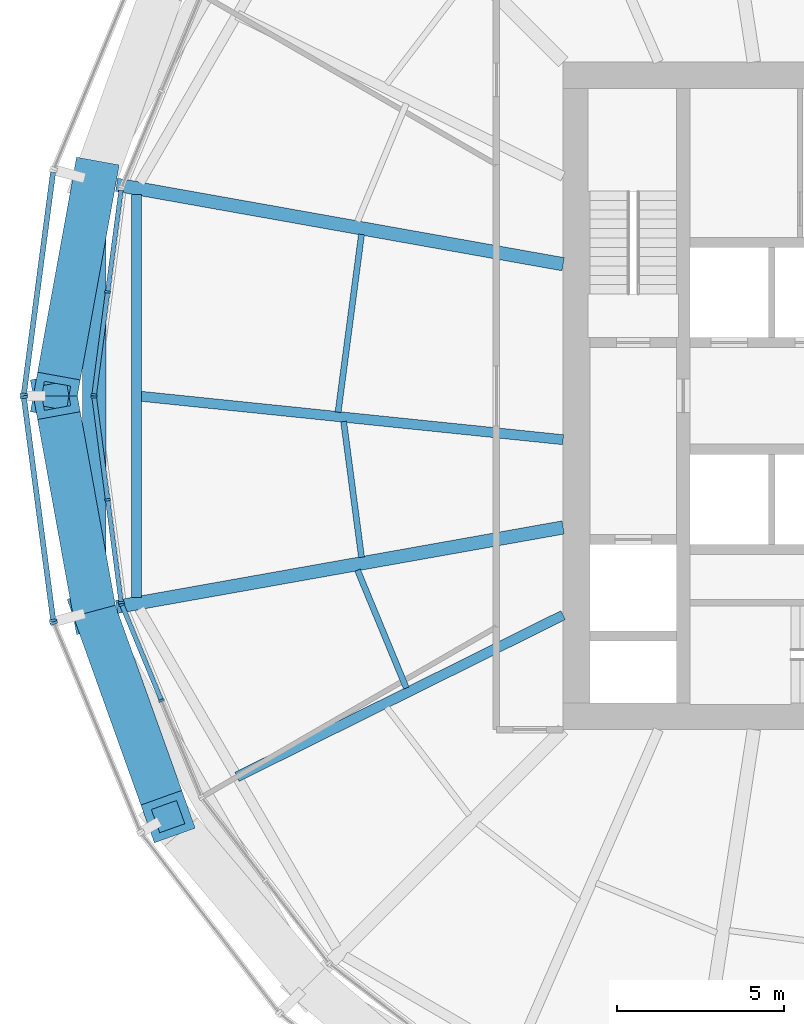
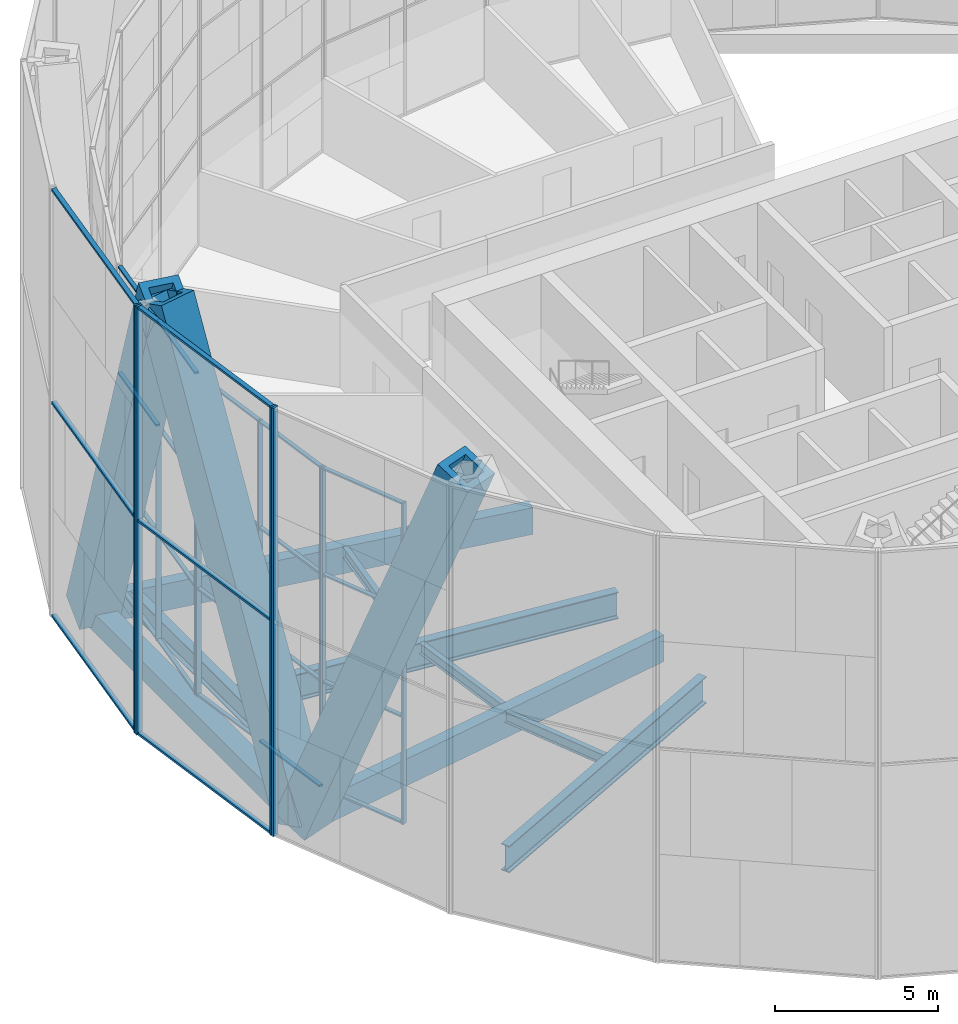
# One storey, part 3 of 26: 40 members, 9 beams, 6 elements without a shape of their own.
"""IFC4 building model written with IfcOpenShell, lengths in metres."""

from ifc_helpers import new_model, si_unit, direction, frame, origin, origin_2d, place, context, subcontext, project, spatial, rectangle, hollow_rectangle, i_section, extrude, material, material_profile, profile_set, type_object, element, aggregate, save


model = new_model("IFC4")

# Units and contexts
model_context = context("Model", 3, precision=1e-05, world=origin(), true_north=direction((0.0, 1.0)))
body_context = subcontext(model_context, "Body", "Model", "MODEL_VIEW")
ifc_project = project(units=[si_unit("LENGTHUNIT", "METRE"), si_unit("AREAUNIT", "SQUARE_METRE"), si_unit("VOLUMEUNIT", "CUBIC_METRE"), si_unit("PLANEANGLEUNIT", "RADIAN"), si_unit("MASSUNIT", "GRAM", prefix="KILO")], contexts=[model_context])

# Site, building, storey
site_placement = place(None, origin())
site = spatial("IfcSite", under=ifc_project, at=site_placement, CompositionType="ELEMENT")
building_placement = place(site_placement, origin())
building = spatial("IfcBuilding", under=site, at=building_placement, Name="Golbaran Civic Tower", CompositionType="ELEMENT")
storey_placement = place(building_placement, frame((0.0, 0.0, 69.0)))
storey = spatial("IfcBuildingStorey", under=building, at=storey_placement, Name="L16", CompositionType="ELEMENT", Elevation=69.0)

# Members
ifc_material_1 = material(Name="Steel S355", Category="steel")
ifc_material_profile_1 = material_profile(ifc_material_1, hollow_rectangle(XDim=1.300048828125, YDim=1.300048828125, WallThickness=0.25, at=origin_2d()), Name="BOX 1300x1300x250")
ifc_profile_set_1 = profile_set([ifc_material_profile_1], Name="Steel S355")
member_type_1 = type_object("IfcMemberType", Name="DIAGRID DIAGONAL BOX 1300x1300x250", PredefinedType="BRACE", material=ifc_profile_set_1)
for number, where, z_axis, x_axis, name in (
    (1, (-24.04296875, 6.4423828125, -0.7099609375), (-0.067560240882, -0.372654606272, 0.925507513895), (0.983960468528, -0.178386648531, 0.0), "Diagonal D03-05R L16-L20"),
    (2, (-24.04296875, -6.4423828125, -0.7099609375), (0.127819765109, -0.356500071861, 0.925510565262), (0.941324428799, 0.337503066276, 0.0), "Diagonal D03-06R L16-L20"),
    (3, (-24.04296875, -6.4423828125, -0.7099609375), (-0.067560240882, 0.372654606272, 0.925507513895), (-0.983960468528, -0.178386648531, 0.0), "Diagonal D03-06L L16-L20"),
):
    element("IfcMember", number, at=place(storey_placement, frame(where, z_axis=z_axis, x_axis=x_axis)), inside=storey, type_object=member_type_1, Name=name, PredefinedType="BRACE", context=body_context, shape_type="SweptSolid", body=[
        extrude(hollow_rectangle(XDim=1.300048828125, YDim=1.300048828125, WallThickness=0.25, at=origin_2d()), origin(), (0.0, 0.0, 1.0), 17.287841796875),
    ])

# Beams
ifc_material_profile_2 = material_profile(ifc_material_1, hollow_rectangle(XDim=0.699951171875, YDim=0.699951171875, WallThickness=0.080078125, at=origin_2d()), Name="BOX 700x700x80")
ifc_profile_set_2 = profile_set([ifc_material_profile_2], Name="Steel S355")
beam_type_1 = type_object("IfcBeamType", Name="DIAGRID RING TIE BOX 700x700x80", PredefinedType="BEAM", material=ifc_profile_set_2)
beam_1_placement = place(storey_placement, frame((-24.04296875, 6.4423828125, -0.7099609375), z_axis=(0.0, -1.0, 0.0), x_axis=(1.0, 0.0, 0.0)))
element("IfcBeam", 4, at=beam_1_placement, inside=storey, type_object=beam_type_1, Name="Ring tie 165.00 L16", PredefinedType="BEAM", context=body_context, shape_type="SweptSolid", body=[
    extrude(hollow_rectangle(XDim=0.699951171875, YDim=0.699951171875, WallThickness=0.080078125, at=origin_2d()), origin(), (0.0, 0.0, 1.0), 12.884765625),
])
ifc_material_profile_3 = material_profile(ifc_material_1, i_section(OverallWidth=0.300048828125, OverallDepth=0.800048828125, WebThickness=0.017578125, FlangeThickness=0.032958984375, FilletRadius=0.030029296875, at=origin_2d()), Name="HEB 800")
ifc_profile_set_3 = profile_set([ifc_material_profile_3], Name="Steel S355")
beam_type_2 = type_object("IfcBeamType", Name="EDGE BEAM HEB 800", PredefinedType="BEAM", material=ifc_profile_set_3)
beam_2_placement = place(storey_placement, frame((-22.783935546875, 6.035400390625, -0.60009765625), z_axis=(0.0, -1.0, 0.0), x_axis=(1.0, 0.0, 0.0)))
element("IfcBeam", 5, at=beam_2_placement, inside=storey, type_object=beam_type_2, Name="Edge beam 165.00 L16", PredefinedType="BEAM", context=body_context, shape_type="SweptSolid", body=[
    extrude(i_section(OverallWidth=0.300048828125, OverallDepth=0.800048828125, WebThickness=0.017578125, FlangeThickness=0.032958984375, FilletRadius=0.030029296875, at=origin_2d()), origin(), (0.0, 0.0, 1.0), 12.07080078125),
])
ifc_material_profile_4 = material_profile(ifc_material_1, i_section(OverallWidth=0.179931640625, OverallDepth=0.39990234375, WebThickness=0.008544921875, FlangeThickness=0.013427734375, FilletRadius=0.02099609375, at=origin_2d()), Name="IPE 400")
ifc_profile_set_4 = profile_set([ifc_material_profile_4], Name="Steel S355")
beam_type_3 = type_object("IfcBeamType", Name="FLOOR INFILL BEAM IPE 400", PredefinedType="BEAM", material=ifc_profile_set_4)
beam_3_placement = place(storey_placement, frame((-16.03955078125, 4.8349609375, -0.39990234375), z_axis=(-0.13053210805, -0.991444082522, 0.0), x_axis=(0.991444082522, -0.13053210805, 0.0)))
element("IfcBeam", 6, at=beam_3_placement, inside=storey, type_object=beam_type_3, Name="Infill beam 172.50 L16", PredefinedType="BEAM", context=body_context, shape_type="SweptSolid", body=[
    extrude(i_section(OverallWidth=0.179931640625, OverallDepth=0.39990234375, WebThickness=0.008544921875, FlangeThickness=0.013427734375, FilletRadius=0.02099609375, at=origin_2d()), origin(), (0.0, 0.0, 1.0), 5.37158203125),
])
beam_4_placement = place(storey_placement, frame((-16.574951171875, -0.76904296875, -0.39990234375), z_axis=(0.130553069552, -0.991441322535, 0.0), x_axis=(0.991441322535, 0.130553069552, 0.0)))
element("IfcBeam", 7, at=beam_4_placement, inside=storey, type_object=beam_type_3, Name="Infill beam 187.50 L16", PredefinedType="BEAM", context=body_context, shape_type="SweptSolid", body=[
    extrude(i_section(OverallWidth=0.179931640625, OverallDepth=0.39990234375, WebThickness=0.008544921875, FlangeThickness=0.013427734375, FilletRadius=0.02099609375, at=origin_2d()), origin(), (0.0, 0.0, 1.0), 4.10107421875),
])
beam_5_placement = place(storey_placement, frame((-16.158935546875, -5.221923828125, -0.39990234375), z_axis=(0.382660123613, -0.923889186968, 0.0), x_axis=(0.923889186968, 0.382660123613, 0.0)))
element("IfcBeam", 8, at=beam_5_placement, inside=storey, type_object=beam_type_3, Name="Infill beam 202.50 L16", PredefinedType="BEAM", context=body_context, shape_type="SweptSolid", body=[
    extrude(i_section(OverallWidth=0.179931640625, OverallDepth=0.39990234375, WebThickness=0.008544921875, FlangeThickness=0.013427734375, FilletRadius=0.02099609375, at=origin_2d()), origin(), (0.0, 0.0, 1.0), 3.822998046875),
])

# Curtain wall, members
ifc_material_2 = material(Name="Aluminium and glass", Category="aluminium")
curtain_wall_type_1 = type_object("IfcCurtainWallType", Name="INNER SKIN CURTAIN WALL", PredefinedType="NOTDEFINED", material=ifc_material_2)
curtain_wall_1_placement = place(storey_placement, origin())
curtain_wall_1 = element("IfcCurtainWall", 9, at=curtain_wall_1_placement, inside=storey, type_object=curtain_wall_type_1, Name="Inner skin L16 facet 12 CW1", ObjectType="INNER SKIN", PredefinedType="USERDEFINED")
ifc_material_3 = material(Name="Aluminium", Category="aluminium")
ifc_material_profile_5 = material_profile(ifc_material_3, rectangle(XDim=0.179931640625, YDim=0.06494140625, at=origin_2d()), Name="INNER SKIN CURTAIN WALL MULLION")
ifc_profile_set_5 = profile_set([ifc_material_profile_5], Name="Aluminium")
member_type_2 = type_object("IfcMemberType", Name="INNER SKIN CURTAIN WALL MULLION", PredefinedType="MULLION", material=ifc_profile_set_5)
member_1_placement = place(storey_placement, frame((-23.643310546875, 3.11279296875, 0.0), z_axis=(0.0, 0.0, 1.0), x_axis=(0.991444861381, -0.130526192168, 0.0)))
member_1 = element("IfcMember", 10, at=member_1_placement, type_object=member_type_2, Name="CW1 mullion 2", PredefinedType="MULLION", context=body_context, shape_type="SweptSolid", body=[
    extrude(rectangle(XDim=0.179931640625, YDim=0.06494140625, at=origin_2d()), origin(), (0.0, 0.0, 1.0), 12.0),
])
member_2_placement = place(storey_placement, frame((-24.048828125, 0.0322265625, 0.0), z_axis=(0.0, 0.0, 1.0), x_axis=(0.991444861381, -0.130526192168, 0.0)))
member_2 = element("IfcMember", 11, at=member_2_placement, type_object=member_type_2, Name="CW1 mullion 3", PredefinedType="MULLION", context=body_context, shape_type="SweptSolid", body=[
    extrude(rectangle(XDim=0.179931640625, YDim=0.06494140625, at=origin_2d()), origin(), (0.0, 0.0, 1.0), 12.0),
])

curtain_wall_2_placement = place(storey_placement, origin())
curtain_wall_2 = element("IfcCurtainWall", 12, at=curtain_wall_2_placement, inside=storey, type_object=curtain_wall_type_1, Name="Inner skin L16 facet 13 CW1", ObjectType="INNER SKIN", PredefinedType="USERDEFINED")
member_3_placement = place(storey_placement, frame((-24.048828125, -0.0322265625, 0.0), z_axis=(0.0, 0.0, 1.0), x_axis=(0.991444861381, 0.130526192168, 0.0)))
member_3 = element("IfcMember", 13, at=member_3_placement, type_object=member_type_2, Name="CW1 mullion 1", PredefinedType="MULLION", context=body_context, shape_type="SweptSolid", body=[
    extrude(rectangle(XDim=0.179931640625, YDim=0.06494140625, at=origin_2d()), origin(), (0.0, 0.0, 1.0), 12.0),
])
member_4_placement = place(storey_placement, frame((-23.643310546875, -3.11279296875, 0.0), z_axis=(0.0, 0.0, 1.0), x_axis=(0.991444861381, 0.130526192168, 0.0)))
member_4 = element("IfcMember", 14, at=member_4_placement, type_object=member_type_2, Name="CW1 mullion 2", PredefinedType="MULLION", context=body_context, shape_type="SweptSolid", body=[
    extrude(rectangle(XDim=0.179931640625, YDim=0.06494140625, at=origin_2d()), origin(), (0.0, 0.0, 1.0), 12.0),
])
member_5_placement = place(storey_placement, frame((-23.237548828125, -6.193115234375, 0.0), z_axis=(0.0, 0.0, 1.0), x_axis=(0.991444861381, 0.130526192168, 0.0)))
member_5 = element("IfcMember", 15, at=member_5_placement, type_object=member_type_2, Name="CW1 mullion 3", PredefinedType="MULLION", context=body_context, shape_type="SweptSolid", body=[
    extrude(rectangle(XDim=0.179931640625, YDim=0.06494140625, at=origin_2d()), origin(), (0.0, 0.0, 1.0), 12.0),
])

curtain_wall_3_placement = place(storey_placement, origin())
curtain_wall_3 = element("IfcCurtainWall", 16, at=curtain_wall_3_placement, inside=storey, type_object=curtain_wall_type_1, Name="Inner skin L16 facet 14 CW1", ObjectType="INNER SKIN", PredefinedType="USERDEFINED")
member_6_placement = place(storey_placement, frame((-23.220947265625, -6.25537109375, 0.0), z_axis=(0.0, 0.0, 1.0), x_axis=(0.923879532478, 0.382683432446, 0.0)))
member_6 = element("IfcMember", 17, at=member_6_placement, type_object=member_type_2, Name="CW1 mullion 1", PredefinedType="MULLION", context=body_context, shape_type="SweptSolid", body=[
    extrude(rectangle(XDim=0.179931640625, YDim=0.06494140625, at=origin_2d()), origin(), (0.0, 0.0, 1.0), 12.0),
])
member_7_placement = place(storey_placement, frame((-22.031982421875, -9.1259765625, 0.0), z_axis=(0.0, 0.0, 1.0), x_axis=(0.923879532478, 0.382683432446, 0.0)))
member_7 = element("IfcMember", 18, at=member_7_placement, type_object=member_type_2, Name="CW1 mullion 2", PredefinedType="MULLION", context=body_context, shape_type="SweptSolid", body=[
    extrude(rectangle(XDim=0.179931640625, YDim=0.06494140625, at=origin_2d()), origin(), (0.0, 0.0, 1.0), 12.0),
])

# Member
ifc_material_profile_6 = material_profile(ifc_material_3, rectangle(XDim=0.139892578125, YDim=0.06494140625, at=origin_2d()), Name="INNER SKIN CURTAIN WALL TRANSOM")
ifc_profile_set_6 = profile_set([ifc_material_profile_6], Name="Aluminium")
member_type_3 = type_object("IfcMemberType", Name="INNER SKIN CURTAIN WALL TRANSOM", PredefinedType="USERDEFINED", material=ifc_profile_set_6)
member_8_placement = place(storey_placement, frame((-23.241943359375, 6.160888671875, 0.032470703125), z_axis=(-0.130502263934, -0.991448011299, 0.0), x_axis=(0.991448011299, -0.130502263934, 0.0)))
member_8 = element("IfcMember", 19, at=member_8_placement, type_object=member_type_3, Name="CW1 transom 1.1", ObjectType="TRANSOM", PredefinedType="USERDEFINED", context=body_context, shape_type="SweptSolid", body=[
    extrude(rectangle(XDim=0.139892578125, YDim=0.06494140625, at=origin_2d()), origin(), (0.0, 0.0, 1.0), 3.0419921875),
])

member_9_placement = place(storey_placement, frame((-23.241943359375, 6.160888671875, 4.0), z_axis=(-0.130502263934, -0.991448011299, 0.0), x_axis=(0.991448011299, -0.130502263934, 0.0)))
member_9 = element("IfcMember", 20, at=member_9_placement, type_object=member_type_3, Name="CW1 transom 1.2", ObjectType="TRANSOM", PredefinedType="USERDEFINED", context=body_context, shape_type="SweptSolid", body=[
    extrude(rectangle(XDim=0.139892578125, YDim=0.06494140625, at=origin_2d()), origin(), (0.0, 0.0, 1.0), 3.0419921875),
])

member_10_placement = place(storey_placement, frame((-23.241943359375, 6.160888671875, 8.0), z_axis=(-0.130502263934, -0.991448011299, 0.0), x_axis=(0.991448011299, -0.130502263934, 0.0)))
member_10 = element("IfcMember", 21, at=member_10_placement, type_object=member_type_3, Name="CW1 transom 1.3", ObjectType="TRANSOM", PredefinedType="USERDEFINED", context=body_context, shape_type="SweptSolid", body=[
    extrude(rectangle(XDim=0.139892578125, YDim=0.06494140625, at=origin_2d()), origin(), (0.0, 0.0, 1.0), 3.0419921875),
])

member_11_placement = place(storey_placement, frame((-23.241943359375, 6.160888671875, 11.967529296875), z_axis=(-0.130502263934, -0.991448011299, 0.0), x_axis=(0.991448011299, -0.130502263934, 0.0)))
member_11 = element("IfcMember", 22, at=member_11_placement, type_object=member_type_3, Name="CW1 transom 1.4", ObjectType="TRANSOM", PredefinedType="USERDEFINED", context=body_context, shape_type="SweptSolid", body=[
    extrude(rectangle(XDim=0.139892578125, YDim=0.06494140625, at=origin_2d()), origin(), (0.0, 0.0, 1.0), 3.0419921875),
])

member_12_placement = place(storey_placement, frame((-23.6474609375, 3.08056640625, 0.032470703125), z_axis=(-0.130491880255, -0.991449378026, 0.0), x_axis=(0.991449378026, -0.130491880255, 0.0)))
member_12 = element("IfcMember", 23, at=member_12_placement, type_object=member_type_3, Name="CW1 transom 2.1", ObjectType="TRANSOM", PredefinedType="USERDEFINED", context=body_context, shape_type="SweptSolid", body=[
    extrude(rectangle(XDim=0.139892578125, YDim=0.06494140625, at=origin_2d()), origin(), (0.0, 0.0, 1.0), 3.042236328125),
])

member_13_placement = place(storey_placement, frame((-23.6474609375, 3.08056640625, 4.0), z_axis=(-0.130491880255, -0.991449378026, 0.0), x_axis=(0.991449378026, -0.130491880255, 0.0)))
member_13 = element("IfcMember", 24, at=member_13_placement, type_object=member_type_3, Name="CW1 transom 2.2", ObjectType="TRANSOM", PredefinedType="USERDEFINED", context=body_context, shape_type="SweptSolid", body=[
    extrude(rectangle(XDim=0.139892578125, YDim=0.06494140625, at=origin_2d()), origin(), (0.0, 0.0, 1.0), 3.042236328125),
])

member_14_placement = place(storey_placement, frame((-23.6474609375, 3.08056640625, 8.0), z_axis=(-0.130491880255, -0.991449378026, 0.0), x_axis=(0.991449378026, -0.130491880255, 0.0)))
member_14 = element("IfcMember", 25, at=member_14_placement, type_object=member_type_3, Name="CW1 transom 2.3", ObjectType="TRANSOM", PredefinedType="USERDEFINED", context=body_context, shape_type="SweptSolid", body=[
    extrude(rectangle(XDim=0.139892578125, YDim=0.06494140625, at=origin_2d()), origin(), (0.0, 0.0, 1.0), 3.042236328125),
])

member_15_placement = place(storey_placement, frame((-23.6474609375, 3.08056640625, 11.967529296875), z_axis=(-0.130491880255, -0.991449378026, 0.0), x_axis=(0.991449378026, -0.130491880255, 0.0)))
member_15 = element("IfcMember", 26, at=member_15_placement, type_object=member_type_3, Name="CW1 transom 2.4", ObjectType="TRANSOM", PredefinedType="USERDEFINED", context=body_context, shape_type="SweptSolid", body=[
    extrude(rectangle(XDim=0.139892578125, YDim=0.06494140625, at=origin_2d()), origin(), (0.0, 0.0, 1.0), 3.042236328125),
])

aggregate(curtain_wall_1, [member_1, member_2, member_8, member_9, member_10, member_11, member_12, member_13, member_14, member_15])

member_16_placement = place(storey_placement, frame((-24.04443359375, -0.064453125, 0.032470703125), z_axis=(0.130491880255, -0.991449378026, 0.0), x_axis=(0.991449378026, 0.130491880255, 0.0)))
member_16 = element("IfcMember", 27, at=member_16_placement, type_object=member_type_3, Name="CW1 transom 1.1", ObjectType="TRANSOM", PredefinedType="USERDEFINED", context=body_context, shape_type="SweptSolid", body=[
    extrude(rectangle(XDim=0.139892578125, YDim=0.06494140625, at=origin_2d()), origin(), (0.0, 0.0, 1.0), 3.042236328125),
])

member_17_placement = place(storey_placement, frame((-24.04443359375, -0.064453125, 4.0), z_axis=(0.130491880255, -0.991449378026, 0.0), x_axis=(0.991449378026, 0.130491880255, 0.0)))
member_17 = element("IfcMember", 28, at=member_17_placement, type_object=member_type_3, Name="CW1 transom 1.2", ObjectType="TRANSOM", PredefinedType="USERDEFINED", context=body_context, shape_type="SweptSolid", body=[
    extrude(rectangle(XDim=0.139892578125, YDim=0.06494140625, at=origin_2d()), origin(), (0.0, 0.0, 1.0), 3.042236328125),
])

member_18_placement = place(storey_placement, frame((-24.04443359375, -0.064453125, 8.0), z_axis=(0.130491880255, -0.991449378026, 0.0), x_axis=(0.991449378026, 0.130491880255, 0.0)))
member_18 = element("IfcMember", 29, at=member_18_placement, type_object=member_type_3, Name="CW1 transom 1.3", ObjectType="TRANSOM", PredefinedType="USERDEFINED", context=body_context, shape_type="SweptSolid", body=[
    extrude(rectangle(XDim=0.139892578125, YDim=0.06494140625, at=origin_2d()), origin(), (0.0, 0.0, 1.0), 3.042236328125),
])

member_19_placement = place(storey_placement, frame((-24.04443359375, -0.064453125, 11.967529296875), z_axis=(0.130491880255, -0.991449378026, 0.0), x_axis=(0.991449378026, 0.130491880255, 0.0)))
member_19 = element("IfcMember", 30, at=member_19_placement, type_object=member_type_3, Name="CW1 transom 1.4", ObjectType="TRANSOM", PredefinedType="USERDEFINED", context=body_context, shape_type="SweptSolid", body=[
    extrude(rectangle(XDim=0.139892578125, YDim=0.06494140625, at=origin_2d()), origin(), (0.0, 0.0, 1.0), 3.042236328125),
])

member_20_placement = place(storey_placement, frame((-23.638916015625, -3.14501953125, 0.032470703125), z_axis=(0.130502263934, -0.991448011299, 0.0), x_axis=(0.991448011299, 0.130502263934, 0.0)))
member_20 = element("IfcMember", 31, at=member_20_placement, type_object=member_type_3, Name="CW1 transom 2.1", ObjectType="TRANSOM", PredefinedType="USERDEFINED", context=body_context, shape_type="SweptSolid", body=[
    extrude(rectangle(XDim=0.139892578125, YDim=0.06494140625, at=origin_2d()), origin(), (0.0, 0.0, 1.0), 3.0419921875),
])

member_21_placement = place(storey_placement, frame((-23.638916015625, -3.14501953125, 4.0), z_axis=(0.130502263934, -0.991448011299, 0.0), x_axis=(0.991448011299, 0.130502263934, 0.0)))
member_21 = element("IfcMember", 32, at=member_21_placement, type_object=member_type_3, Name="CW1 transom 2.2", ObjectType="TRANSOM", PredefinedType="USERDEFINED", context=body_context, shape_type="SweptSolid", body=[
    extrude(rectangle(XDim=0.139892578125, YDim=0.06494140625, at=origin_2d()), origin(), (0.0, 0.0, 1.0), 3.0419921875),
])

member_22_placement = place(storey_placement, frame((-23.638916015625, -3.14501953125, 8.0), z_axis=(0.130502263934, -0.991448011299, 0.0), x_axis=(0.991448011299, 0.130502263934, 0.0)))
member_22 = element("IfcMember", 33, at=member_22_placement, type_object=member_type_3, Name="CW1 transom 2.3", ObjectType="TRANSOM", PredefinedType="USERDEFINED", context=body_context, shape_type="SweptSolid", body=[
    extrude(rectangle(XDim=0.139892578125, YDim=0.06494140625, at=origin_2d()), origin(), (0.0, 0.0, 1.0), 3.0419921875),
])

member_23_placement = place(storey_placement, frame((-23.638916015625, -3.14501953125, 11.967529296875), z_axis=(0.130502263934, -0.991448011299, 0.0), x_axis=(0.991448011299, 0.130502263934, 0.0)))
member_23 = element("IfcMember", 34, at=member_23_placement, type_object=member_type_3, Name="CW1 transom 2.4", ObjectType="TRANSOM", PredefinedType="USERDEFINED", context=body_context, shape_type="SweptSolid", body=[
    extrude(rectangle(XDim=0.139892578125, YDim=0.06494140625, at=origin_2d()), origin(), (0.0, 0.0, 1.0), 3.0419921875),
])

aggregate(curtain_wall_2, [member_3, member_4, member_5, member_16, member_17, member_18, member_19, member_20, member_21, member_22, member_23])

member_24_placement = place(storey_placement, frame((-23.20849609375, -6.285400390625, 0.032470703125), z_axis=(0.382654214168, -0.923891634543, 0.0), x_axis=(0.923891634543, 0.382654214168, 0.0)))
member_24 = element("IfcMember", 35, at=member_24_placement, type_object=member_type_3, Name="CW1 transom 1.1", ObjectType="TRANSOM", PredefinedType="USERDEFINED", context=body_context, shape_type="SweptSolid", body=[
    extrude(rectangle(XDim=0.139892578125, YDim=0.06494140625, at=origin_2d()), origin(), (0.0, 0.0, 1.0), 3.0419921875),
])

member_25_placement = place(storey_placement, frame((-23.20849609375, -6.285400390625, 4.0), z_axis=(0.382654214168, -0.923891634543, 0.0), x_axis=(0.923891634543, 0.382654214168, 0.0)))
member_25 = element("IfcMember", 36, at=member_25_placement, type_object=member_type_3, Name="CW1 transom 1.2", ObjectType="TRANSOM", PredefinedType="USERDEFINED", context=body_context, shape_type="SweptSolid", body=[
    extrude(rectangle(XDim=0.139892578125, YDim=0.06494140625, at=origin_2d()), origin(), (0.0, 0.0, 1.0), 3.0419921875),
])

member_26_placement = place(storey_placement, frame((-23.20849609375, -6.285400390625, 8.0), z_axis=(0.382654214168, -0.923891634543, 0.0), x_axis=(0.923891634543, 0.382654214168, 0.0)))
member_26 = element("IfcMember", 37, at=member_26_placement, type_object=member_type_3, Name="CW1 transom 1.3", ObjectType="TRANSOM", PredefinedType="USERDEFINED", context=body_context, shape_type="SweptSolid", body=[
    extrude(rectangle(XDim=0.139892578125, YDim=0.06494140625, at=origin_2d()), origin(), (0.0, 0.0, 1.0), 3.0419921875),
])

member_27_placement = place(storey_placement, frame((-23.20849609375, -6.285400390625, 11.967529296875), z_axis=(0.382654214168, -0.923891634543, 0.0), x_axis=(0.923891634543, 0.382654214168, 0.0)))
member_27 = element("IfcMember", 38, at=member_27_placement, type_object=member_type_3, Name="CW1 transom 1.4", ObjectType="TRANSOM", PredefinedType="USERDEFINED", context=body_context, shape_type="SweptSolid", body=[
    extrude(rectangle(XDim=0.139892578125, YDim=0.06494140625, at=origin_2d()), origin(), (0.0, 0.0, 1.0), 3.0419921875),
])

aggregate(curtain_wall_3, [member_6, member_7, member_24, member_25, member_26, member_27])

# Curtain wall, member
curtain_wall_type_2 = type_object("IfcCurtainWallType", Name="OUTER SKIN TERRACOTTA SCREEN", PredefinedType="NOTDEFINED", material=ifc_material_2)
curtain_wall_4_placement = place(storey_placement, origin())
curtain_wall_4 = element("IfcCurtainWall", 39, at=curtain_wall_4_placement, inside=storey, type_object=curtain_wall_type_2, Name="Outer skin L16 facet 12 CW3", ObjectType="OUTER SKIN", PredefinedType="USERDEFINED")
ifc_material_profile_7 = material_profile(ifc_material_3, rectangle(XDim=0.219970703125, YDim=0.080078125, at=origin_2d()), Name="OUTER SKIN TERRACOTTA SCREEN MULLION")
ifc_profile_set_7 = profile_set([ifc_material_profile_7], Name="Aluminium")
member_type_4 = type_object("IfcMemberType", Name="OUTER SKIN TERRACOTTA SCREEN MULLION", PredefinedType="MULLION", material=ifc_profile_set_7)
member_28_placement = place(storey_placement, frame((-26.15576171875, 0.03955078125, -0.7099609375), z_axis=(0.0, 0.0, 1.0), x_axis=(0.991444861383, -0.130526192151, 0.0)))
member_28 = element("IfcMember", 40, at=member_28_placement, type_object=member_type_4, Name="CW3 mullion 2", PredefinedType="MULLION", context=body_context, shape_type="SweptSolid", body=[
    extrude(rectangle(XDim=0.219970703125, YDim=0.080078125, at=origin_2d()), origin(), (0.0, 0.0, 1.0), 16.0),
])

# Curtain wall, members
curtain_wall_5_placement = place(storey_placement, origin())
curtain_wall_5 = element("IfcCurtainWall", 41, at=curtain_wall_5_placement, inside=storey, type_object=curtain_wall_type_2, Name="Outer skin L16 facet 13 CW3", ObjectType="OUTER SKIN", PredefinedType="USERDEFINED")
member_29_placement = place(storey_placement, frame((-26.15576171875, -0.03955078125, -0.7099609375), z_axis=(0.0, 0.0, 1.0), x_axis=(0.991444861383, 0.130526192151, 0.0)))
member_29 = element("IfcMember", 42, at=member_29_placement, type_object=member_type_4, Name="CW3 mullion 1", PredefinedType="MULLION", context=body_context, shape_type="SweptSolid", body=[
    extrude(rectangle(XDim=0.219970703125, YDim=0.080078125, at=origin_2d()), origin(), (0.0, 0.0, 1.0), 16.0),
])
member_30_placement = place(storey_placement, frame((-25.27490234375, -6.731201171875, -0.7099609375), z_axis=(0.0, 0.0, 1.0), x_axis=(0.991444861383, 0.130526192151, 0.0)))
member_30 = element("IfcMember", 43, at=member_30_placement, type_object=member_type_4, Name="CW3 mullion 2", PredefinedType="MULLION", context=body_context, shape_type="SweptSolid", body=[
    extrude(rectangle(XDim=0.219970703125, YDim=0.080078125, at=origin_2d()), origin(), (0.0, 0.0, 1.0), 16.0),
])

# Curtain wall, member
curtain_wall_6_placement = place(storey_placement, origin())
curtain_wall_6 = element("IfcCurtainWall", 44, at=curtain_wall_6_placement, inside=storey, type_object=curtain_wall_type_2, Name="Outer skin L16 facet 14 CW3", ObjectType="OUTER SKIN", PredefinedType="USERDEFINED")
member_31_placement = place(storey_placement, frame((-25.25439453125, -6.807861328125, -0.7099609375), z_axis=(0.0, 0.0, 1.0), x_axis=(0.923879532465, 0.382683432478, 0.0)))
member_31 = element("IfcMember", 45, at=member_31_placement, type_object=member_type_4, Name="CW3 mullion 1", PredefinedType="MULLION", context=body_context, shape_type="SweptSolid", body=[
    extrude(rectangle(XDim=0.219970703125, YDim=0.080078125, at=origin_2d()), origin(), (0.0, 0.0, 1.0), 16.0),
])
aggregate(curtain_wall_6, [member_31])

# Member
ifc_material_profile_8 = material_profile(ifc_material_3, rectangle(XDim=0.159912109375, YDim=0.080078125, at=origin_2d()), Name="OUTER SKIN TERRACOTTA SCREEN TRANSOM")
ifc_profile_set_8 = profile_set([ifc_material_profile_8], Name="Aluminium")
member_type_5 = type_object("IfcMemberType", Name="OUTER SKIN TERRACOTTA SCREEN TRANSOM", PredefinedType="USERDEFINED", material=ifc_profile_set_8)
member_32_placement = place(storey_placement, frame((-25.280029296875, 6.691650390625, -0.669921875), z_axis=(-0.130537841761, -0.991443327613, 0.0), x_axis=(0.991443327613, -0.130537841761, 0.0)))
member_32 = element("IfcMember", 46, at=member_32_placement, type_object=member_type_5, Name="CW3 transom 1.1", ObjectType="TRANSOM", PredefinedType="USERDEFINED", context=body_context, shape_type="SweptSolid", body=[
    extrude(rectangle(XDim=0.159912109375, YDim=0.080078125, at=origin_2d()), origin(), (0.0, 0.0, 1.0), 6.66943359375),
])

member_33_placement = place(storey_placement, frame((-25.280029296875, 6.691650390625, 7.2900390625), z_axis=(-0.130537841761, -0.991443327613, 0.0), x_axis=(0.991443327613, -0.130537841761, 0.0)))
member_33 = element("IfcMember", 47, at=member_33_placement, type_object=member_type_5, Name="CW3 transom 1.2", ObjectType="TRANSOM", PredefinedType="USERDEFINED", context=body_context, shape_type="SweptSolid", body=[
    extrude(rectangle(XDim=0.159912109375, YDim=0.080078125, at=origin_2d()), origin(), (0.0, 0.0, 1.0), 6.66943359375),
])

member_34_placement = place(storey_placement, frame((-25.280029296875, 6.691650390625, 15.25), z_axis=(-0.130537841761, -0.991443327613, 0.0), x_axis=(0.991443327613, -0.130537841761, 0.0)))
member_34 = element("IfcMember", 48, at=member_34_placement, type_object=member_type_5, Name="CW3 transom 1.3", ObjectType="TRANSOM", PredefinedType="USERDEFINED", context=body_context, shape_type="SweptSolid", body=[
    extrude(rectangle(XDim=0.159912109375, YDim=0.080078125, at=origin_2d()), origin(), (0.0, 0.0, 1.0), 6.66943359375),
])

aggregate(curtain_wall_4, [member_28, member_32, member_33, member_34])

member_35_placement = place(storey_placement, frame((-26.150634765625, -0.079345703125, -0.669921875), z_axis=(0.130537841761, -0.991443327613, 0.0), x_axis=(0.991443327613, 0.130537841761, 0.0)))
member_35 = element("IfcMember", 49, at=member_35_placement, type_object=member_type_5, Name="CW3 transom 1.1", ObjectType="TRANSOM", PredefinedType="USERDEFINED", context=body_context, shape_type="SweptSolid", body=[
    extrude(rectangle(XDim=0.159912109375, YDim=0.080078125, at=origin_2d()), origin(), (0.0, 0.0, 1.0), 6.66943359375),
])

member_36_placement = place(storey_placement, frame((-26.150634765625, -0.079345703125, 7.2900390625), z_axis=(0.130537841761, -0.991443327613, 0.0), x_axis=(0.991443327613, 0.130537841761, 0.0)))
member_36 = element("IfcMember", 50, at=member_36_placement, type_object=member_type_5, Name="CW3 transom 1.2", ObjectType="TRANSOM", PredefinedType="USERDEFINED", context=body_context, shape_type="SweptSolid", body=[
    extrude(rectangle(XDim=0.159912109375, YDim=0.080078125, at=origin_2d()), origin(), (0.0, 0.0, 1.0), 6.66943359375),
])

member_37_placement = place(storey_placement, frame((-26.150634765625, -0.079345703125, 15.25), z_axis=(0.130537841761, -0.991443327613, 0.0), x_axis=(0.991443327613, 0.130537841761, 0.0)))
member_37 = element("IfcMember", 51, at=member_37_placement, type_object=member_type_5, Name="CW3 transom 1.3", ObjectType="TRANSOM", PredefinedType="USERDEFINED", context=body_context, shape_type="SweptSolid", body=[
    extrude(rectangle(XDim=0.159912109375, YDim=0.080078125, at=origin_2d()), origin(), (0.0, 0.0, 1.0), 6.66943359375),
])

aggregate(curtain_wall_5, [member_29, member_30, member_35, member_36, member_37])

# Beams
ifc_material_profile_9 = material_profile(ifc_material_1, hollow_rectangle(XDim=0.39990234375, YDim=1.0, WallThickness=0.0400390625, at=origin_2d()), Name="BOX 1000x400x40")
ifc_profile_set_9 = profile_set([ifc_material_profile_9], Name="Steel S355")
beam_type_4 = type_object("IfcBeamType", Name="RADIAL FLOOR BEAM BOX 1000x400x40", PredefinedType="BEAM", material=ifc_profile_set_9)
for number, where, z_axis, x_axis, name in (
    (52, (-10.0, 3.94287109375, -0.7099609375), (-0.984526493234, 0.175235795771, 0.0), (-0.175235795771, -0.984526493234, 0.0), "Radial beam 165.00 L16"),
    (53, (-10.0, -3.94287109375, -0.7099609375), (-0.984526493234, -0.175235795771, 0.0), (0.175235795771, -0.984526493234, 0.0), "Radial beam 195.00 L16"),
):
    element("IfcBeam", number, at=place(storey_placement, frame(where, z_axis=z_axis, x_axis=x_axis)), inside=storey, type_object=beam_type_4, Name=name, PredefinedType="BEAM", context=body_context, shape_type="SweptSolid", body=[
        extrude(hollow_rectangle(XDim=0.39990234375, YDim=1.0, WallThickness=0.0400390625, at=origin_2d()), origin(), (0.0, 0.0, 1.0), 13.585205078125),
    ])
ifc_material_profile_10 = material_profile(ifc_material_1, i_section(OverallWidth=0.300048828125, OverallDepth=1.0, WebThickness=0.01904296875, FlangeThickness=0.035888671875, FilletRadius=0.030029296875, at=origin_2d()), Name="HEB 1000")
ifc_profile_set_10 = profile_set([ifc_material_profile_10], Name="Steel S355")
beam_type_5 = type_object("IfcBeamType", Name="SECONDARY FLOOR BEAM HEB 1000", PredefinedType="BEAM", material=ifc_profile_set_10)
beam_6_placement = place(storey_placement, frame((-10.0, -1.314208984375, -0.7099609375), z_axis=(-0.99475743272, 0.102262652261, 0.0), x_axis=(-0.102262652261, -0.99475743272, 0.0)))
element("IfcBeam", 54, at=beam_6_placement, inside=storey, type_object=beam_type_5, Name="Secondary beam 180.00 L16", PredefinedType="BEAM", context=body_context, shape_type="SweptSolid", body=[
    extrude(i_section(OverallWidth=0.300048828125, OverallDepth=1.0, WebThickness=0.01904296875, FlangeThickness=0.035888671875, FilletRadius=0.030029296875, at=origin_2d()), origin(), (0.0, 0.0, 1.0), 12.851318359375),
])
beam_7_placement = place(storey_placement, frame((-10.0, -6.571533203125, -0.7099609375), z_axis=(-0.895980297639, -0.444093803428, 0.0), x_axis=(0.444093803428, -0.895980297639, 0.0)))
element("IfcBeam", 55, at=beam_7_placement, inside=storey, type_object=beam_type_5, Name="Secondary beam 210.00 L16", PredefinedType="BEAM", context=body_context, shape_type="SweptSolid", body=[
    extrude(i_section(OverallWidth=0.300048828125, OverallDepth=1.0, WebThickness=0.01904296875, FlangeThickness=0.035888671875, FilletRadius=0.030029296875, at=origin_2d()), origin(), (0.0, 0.0, 1.0), 10.902587890625),
])

save(model, "model.ifc")
